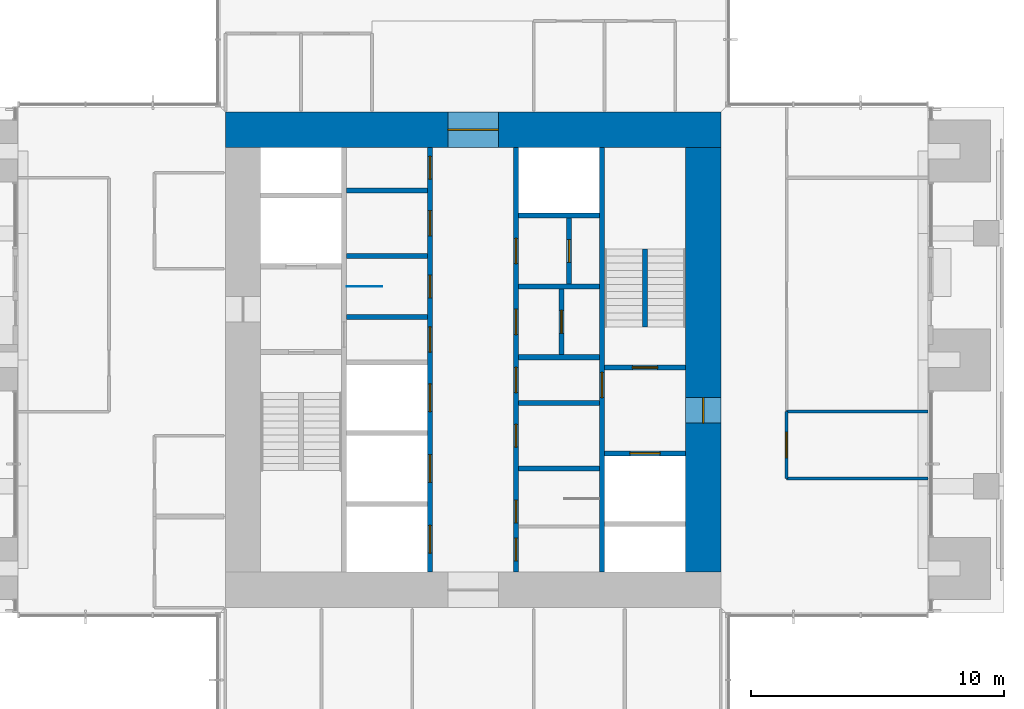
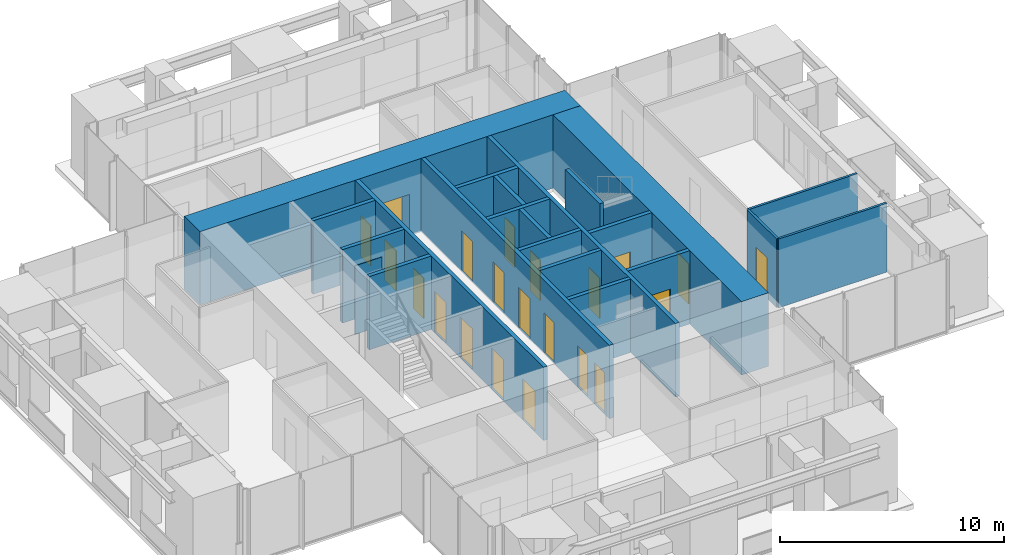
# One storey, part 13 of 17: 22 walls, 21 doors, 21 openings.
"""IFC4 building model written with IfcOpenShell, lengths in metres."""

from ifc_helpers import new_model, si_unit, direction, frame, frame_2d, origin, place, context, subcontext, project, spatial, rectangle, extrude, material, layer, layer_set, type_object, element, fill, save


model = new_model("IFC4")

# Units and contexts
model_context = context("Model", 3, precision=1e-05, world=origin(), true_north=direction((0.0, 1.0)))
body_context = subcontext(model_context, "Body", "Model", "MODEL_VIEW")
ifc_project = project(units=[si_unit("LENGTHUNIT", "METRE"), si_unit("AREAUNIT", "SQUARE_METRE"), si_unit("VOLUMEUNIT", "CUBIC_METRE"), si_unit("PLANEANGLEUNIT", "RADIAN"), si_unit("MASSUNIT", "GRAM", prefix="KILO")], contexts=[model_context])

# Site, building, storey
site_placement = place(None, origin())
site = spatial("IfcSite", under=ifc_project, at=site_placement, CompositionType="ELEMENT")
building_placement = place(site_placement, origin())
building = spatial("IfcBuilding", under=site, at=building_placement, Name="Svetlomir Tower", CompositionType="ELEMENT")
storey_placement = place(building_placement, frame((0.0, 0.0, 198.5)))
storey = spatial("IfcBuildingStorey", under=building, at=storey_placement, Name="L47", CompositionType="ELEMENT", Elevation=198.5)

# Wall, openings, doors
ifc_material_1 = material(Name="Concrete C60/75", Category="concrete")
ifc_layer_1 = layer(ifc_material_1, 0.199951171875)
ifc_layer_set_1 = layer_set([ifc_layer_1], Name="Concrete C60/75")
wall_type_1 = type_object("IfcWallType", Name="CORE INNER WALL 200", PredefinedType="SHEAR", material=ifc_layer_set_1)
wall_1_placement = place(storey_placement, frame((19.300048828125, 12.60009765625, -0.050048828125), z_axis=(0.0, 0.0, 1.0), x_axis=(0.0, 1.0, 0.0)))
wall_1 = element("IfcWall", 1, at=wall_1_placement, inside=storey, type_object=wall_type_1, Name="Core inner wall 19.3 L47", PredefinedType="SHEAR", context=body_context, shape_type="SweptSolid", body=[
    extrude(rectangle(XDim=16.7998046875, YDim=0.199951171875, at=frame_2d((8.39990234375, 0.0))), origin(), (0.0, 0.0, 1.0), 4.0),
])
opening_1_placement = place(wall_1_placement, frame((8.699951171875, 0.0, 0.050048828125)))
opening_1 = element("IfcOpeningElement", 2, at=opening_1_placement, cuts=wall_1, Name="Opening DC", PredefinedType="OPENING", context=body_context, shape_type="SweptSolid", body=[
    extrude(rectangle(XDim=1.0, YDim=2.199951171875, at=frame_2d((0.5, 1.10009765625))), frame((0.0, 0.10986328125, 0.0), z_axis=(0.0, -1.0, 0.0), x_axis=(1.0, 0.0, 0.0)), (0.0, 0.0, 1.0), 0.219970703125),
])
opening_2_placement = place(wall_1_placement, frame((10.85009765625, 0.0, 0.050048828125)))
opening_2 = element("IfcOpeningElement", 3, at=opening_2_placement, cuts=wall_1, Name="Opening DW", PredefinedType="OPENING", context=body_context, shape_type="SweptSolid", body=[
    extrude(rectangle(XDim=0.89990234375, YDim=2.199951171875, at=frame_2d((0.449951171875, 1.10009765625))), frame((0.0, 0.10986328125, 0.0), z_axis=(0.0, -1.0, 0.0), x_axis=(1.0, 0.0, 0.0)), (0.0, 0.0, 1.0), 0.219970703125),
])
opening_3_placement = place(wall_1_placement, frame((13.300048828125, 0.0, 0.050048828125)))
opening_3 = element("IfcOpeningElement", 4, at=opening_3_placement, cuts=wall_1, Name="Opening DC", PredefinedType="OPENING", context=body_context, shape_type="SweptSolid", body=[
    extrude(rectangle(XDim=1.0, YDim=2.199951171875, at=frame_2d((0.5, 1.10009765625))), frame((0.0, 0.10986328125, 0.0), z_axis=(0.0, -1.0, 0.0), x_axis=(1.0, 0.0, 0.0)), (0.0, 0.0, 1.0), 0.219970703125),
])
opening_4_placement = place(wall_1_placement, frame((15.550048828125, 0.0, 0.050048828125)))
opening_4 = element("IfcOpeningElement", 5, at=opening_4_placement, cuts=wall_1, Name="Opening DW", PredefinedType="OPENING", context=body_context, shape_type="SweptSolid", body=[
    extrude(rectangle(XDim=0.89990234375, YDim=2.199951171875, at=frame_2d((0.449951171875, 1.10009765625))), frame((0.0, 0.10986328125, 0.0), z_axis=(0.0, -1.0, 0.0), x_axis=(1.0, 0.0, 0.0)), (0.0, 0.0, 1.0), 0.219970703125),
])
opening_5_placement = place(wall_1_placement, frame((0.75, 0.0, 0.050048828125)))
opening_5 = element("IfcOpeningElement", 6, at=opening_5_placement, cuts=wall_1, Name="Opening LD", PredefinedType="OPENING", context=body_context, shape_type="SweptSolid", body=[
    extrude(rectangle(XDim=1.10009765625, YDim=2.199951171875, at=frame_2d((0.550048828125, 1.10009765625))), frame((0.0, 0.10986328125, 0.0), z_axis=(0.0, -1.0, 0.0), x_axis=(1.0, 0.0, 0.0)), (0.0, 0.0, 1.0), 0.219970703125),
])
opening_6_placement = place(wall_1_placement, frame((3.550048828125, 0.0, 0.050048828125)))
opening_6 = element("IfcOpeningElement", 7, at=opening_6_placement, cuts=wall_1, Name="Opening LD", PredefinedType="OPENING", context=body_context, shape_type="SweptSolid", body=[
    extrude(rectangle(XDim=1.10009765625, YDim=2.199951171875, at=frame_2d((0.550048828125, 1.10009765625))), frame((0.0, 0.10986328125, 0.0), z_axis=(0.0, -1.0, 0.0), x_axis=(1.0, 0.0, 0.0)), (0.0, 0.0, 1.0), 0.219970703125),
])
opening_7_placement = place(wall_1_placement, frame((6.35009765625, 0.0, 0.050048828125)))
opening_7 = element("IfcOpeningElement", 8, at=opening_7_placement, cuts=wall_1, Name="Opening LD", PredefinedType="OPENING", context=body_context, shape_type="SweptSolid", body=[
    extrude(rectangle(XDim=1.10009765625, YDim=2.199951171875, at=frame_2d((0.550048828125, 1.10009765625))), frame((0.0, 0.10986328125, 0.0), z_axis=(0.0, -1.0, 0.0), x_axis=(1.0, 0.0, 0.0)), (0.0, 0.0, 1.0), 0.219970703125),
])
ifc_material_2 = material(Name="Timber fire door", Category="wood")
door_type_1 = type_object("IfcDoorType", Name="DOOR DC 1000x2200", OperationType="SINGLE_SWING_LEFT", PredefinedType="DOOR", material=ifc_material_2)
door_1_placement = place(opening_1_placement, origin())
door_1 = element("IfcDoor", 9, at=door_1_placement, inside=storey, type_object=door_type_1, Name="Core corridor west lobby door L47", OperationType="SINGLE_SWING_RIGHT", OverallHeight=2.199951171875, OverallWidth=1.0, PredefinedType="DOOR", context=body_context, shape_type="SweptSolid", body=[
    extrude(rectangle(XDim=1.0, YDim=2.199951171875, at=frame_2d((0.5, 1.10009765625))), frame((0.0, 0.02490234375, 0.0), z_axis=(0.0, -1.0, 0.0), x_axis=(1.0, 0.0, 0.0)), (0.0, 0.0, 1.0), 0.050048828125),
])
fill(opening_1, door_1)
door_2_placement = place(opening_3_placement, origin())
door_2 = element("IfcDoor", 10, at=door_2_placement, inside=storey, type_object=door_type_1, Name="Accessible WC door L47", OperationType="SINGLE_SWING_LEFT", OverallHeight=2.199951171875, OverallWidth=1.0, PredefinedType="DOOR", context=body_context, shape_type="SweptSolid", body=[
    extrude(rectangle(XDim=1.0, YDim=2.199951171875, at=frame_2d((0.5, 1.10009765625))), frame((0.0, 0.02490234375, 0.0), z_axis=(0.0, -1.0, 0.0), x_axis=(1.0, 0.0, 0.0)), (0.0, 0.0, 1.0), 0.050048828125),
])
fill(opening_3, door_2)
ifc_material_3 = material(Name="Timber fire door", Category="wood")
door_type_2 = type_object("IfcDoorType", Name="DOOR DW 900x2200", OperationType="SINGLE_SWING_LEFT", PredefinedType="DOOR", material=ifc_material_3)
door_3_placement = place(opening_2_placement, origin())
door_3 = element("IfcDoor", 11, at=door_3_placement, inside=storey, type_object=door_type_2, Name="Female WC door L47", OperationType="SINGLE_SWING_RIGHT", OverallHeight=2.199951171875, OverallWidth=0.89990234375, PredefinedType="DOOR", context=body_context, shape_type="SweptSolid", body=[
    extrude(rectangle(XDim=0.89990234375, YDim=2.199951171875, at=frame_2d((0.449951171875, 1.10009765625))), frame((0.0, 0.02490234375, 0.0), z_axis=(0.0, -1.0, 0.0), x_axis=(1.0, 0.0, 0.0)), (0.0, 0.0, 1.0), 0.050048828125),
])
fill(opening_2, door_3)
door_4_placement = place(opening_4_placement, origin())
door_4 = element("IfcDoor", 12, at=door_4_placement, inside=storey, type_object=door_type_2, Name="IT floor distributor room door L47", OperationType="SINGLE_SWING_RIGHT", OverallHeight=2.199951171875, OverallWidth=0.89990234375, PredefinedType="DOOR", context=body_context, shape_type="SweptSolid", body=[
    extrude(rectangle(XDim=0.89990234375, YDim=2.199951171875, at=frame_2d((0.449951171875, 1.10009765625))), frame((0.0, 0.02490234375, 0.0), z_axis=(0.0, -1.0, 0.0), x_axis=(1.0, 0.0, 0.0)), (0.0, 0.0, 1.0), 0.050048828125),
])
fill(opening_4, door_4)
ifc_material_4 = material(Name="Stainless steel landing door", Category="steel")
door_type_3 = type_object("IfcDoorType", Name="LIFT LANDING DOOR LD 1100x2200", OperationType="DOUBLE_DOOR_SLIDING", PredefinedType="DOOR", material=ifc_material_4)
door_5_placement = place(opening_5_placement, origin())
door_5 = element("IfcDoor", 13, at=door_5_placement, inside=storey, type_object=door_type_3, Name="Landing door lift LC1 L47", OperationType="DOUBLE_DOOR_SLIDING", OverallHeight=2.199951171875, OverallWidth=1.10009765625, PredefinedType="DOOR", context=body_context, shape_type="SweptSolid", body=[
    extrude(rectangle(XDim=1.10009765625, YDim=2.199951171875, at=frame_2d((0.550048828125, 1.10009765625))), frame((0.0, 0.02490234375, 0.0), z_axis=(0.0, -1.0, 0.0), x_axis=(1.0, 0.0, 0.0)), (0.0, 0.0, 1.0), 0.050048828125),
])
fill(opening_5, door_5)
door_6_placement = place(opening_6_placement, origin())
door_6 = element("IfcDoor", 14, at=door_6_placement, inside=storey, type_object=door_type_3, Name="Landing door lift LC2 L47", OperationType="DOUBLE_DOOR_SLIDING", OverallHeight=2.199951171875, OverallWidth=1.10009765625, PredefinedType="DOOR", context=body_context, shape_type="SweptSolid", body=[
    extrude(rectangle(XDim=1.10009765625, YDim=2.199951171875, at=frame_2d((0.550048828125, 1.10009765625))), frame((0.0, 0.02490234375, 0.0), z_axis=(0.0, -1.0, 0.0), x_axis=(1.0, 0.0, 0.0)), (0.0, 0.0, 1.0), 0.050048828125),
])
fill(opening_6, door_6)
door_7_placement = place(opening_7_placement, origin())
door_7 = element("IfcDoor", 15, at=door_7_placement, inside=storey, type_object=door_type_3, Name="Landing door lift LC3 L47", OperationType="DOUBLE_DOOR_SLIDING", OverallHeight=2.199951171875, OverallWidth=1.10009765625, PredefinedType="DOOR", context=body_context, shape_type="SweptSolid", body=[
    extrude(rectangle(XDim=1.10009765625, YDim=2.199951171875, at=frame_2d((0.550048828125, 1.10009765625))), frame((0.0, 0.02490234375, 0.0), z_axis=(0.0, -1.0, 0.0), x_axis=(1.0, 0.0, 0.0)), (0.0, 0.0, 1.0), 0.050048828125),
])
fill(opening_7, door_7)

wall_2_placement = place(storey_placement, frame((22.699951171875, 12.60009765625, -0.050048828125), z_axis=(0.0, 0.0, 1.0), x_axis=(0.0, 1.0, 0.0)))
wall_2 = element("IfcWall", 16, at=wall_2_placement, inside=storey, type_object=wall_type_1, Name="Core inner wall 22.7 L47", PredefinedType="SHEAR", context=body_context, shape_type="SweptSolid", body=[
    extrude(rectangle(XDim=16.7998046875, YDim=0.199951171875, at=frame_2d((8.39990234375, 0.0))), origin(), (0.0, 0.0, 1.0), 4.0),
])
opening_8_placement = place(wall_2_placement, frame((0.449951171875, 0.0, 0.050048828125)))
opening_8 = element("IfcOpeningElement", 17, at=opening_8_placement, cuts=wall_2, Name="Opening DW", PredefinedType="OPENING", context=body_context, shape_type="SweptSolid", body=[
    extrude(rectangle(XDim=0.89990234375, YDim=2.199951171875, at=frame_2d((0.449951171875, 1.10009765625))), frame((0.0, 0.10986328125, 0.0), z_axis=(0.0, -1.0, 0.0), x_axis=(1.0, 0.0, 0.0)), (0.0, 0.0, 1.0), 0.219970703125),
])
opening_9_placement = place(wall_2_placement, frame((7.10009765625, 0.0, 0.050048828125)))
opening_9 = element("IfcOpeningElement", 18, at=opening_9_placement, cuts=wall_2, Name="Opening DC", PredefinedType="OPENING", context=body_context, shape_type="SweptSolid", body=[
    extrude(rectangle(XDim=1.0, YDim=2.199951171875, at=frame_2d((0.5, 1.10009765625))), frame((0.0, 0.10986328125, 0.0), z_axis=(0.0, -1.0, 0.0), x_axis=(1.0, 0.0, 0.0)), (0.0, 0.0, 1.0), 0.219970703125),
])
opening_10_placement = place(wall_2_placement, frame((1.949951171875, 0.0, 0.050048828125)))
opening_10 = element("IfcOpeningElement", 19, at=opening_10_placement, cuts=wall_2, Name="Opening DW", PredefinedType="OPENING", context=body_context, shape_type="SweptSolid", body=[
    extrude(rectangle(XDim=0.89990234375, YDim=2.199951171875, at=frame_2d((0.449951171875, 1.10009765625))), frame((0.0, 0.10986328125, 0.0), z_axis=(0.0, -1.0, 0.0), x_axis=(1.0, 0.0, 0.0)), (0.0, 0.0, 1.0), 0.219970703125),
])
opening_11_placement = place(wall_2_placement, frame((4.949951171875, 0.0, 0.050048828125)))
opening_11 = element("IfcOpeningElement", 20, at=opening_11_placement, cuts=wall_2, Name="Opening DW", PredefinedType="OPENING", context=body_context, shape_type="SweptSolid", body=[
    extrude(rectangle(XDim=0.89990234375, YDim=2.199951171875, at=frame_2d((0.449951171875, 1.10009765625))), frame((0.0, 0.10986328125, 0.0), z_axis=(0.0, -1.0, 0.0), x_axis=(1.0, 0.0, 0.0)), (0.0, 0.0, 1.0), 0.219970703125),
])
opening_12_placement = place(wall_2_placement, frame((9.39990234375, 0.0, 0.050048828125)))
opening_12 = element("IfcOpeningElement", 21, at=opening_12_placement, cuts=wall_2, Name="Opening DC", PredefinedType="OPENING", context=body_context, shape_type="SweptSolid", body=[
    extrude(rectangle(XDim=1.0, YDim=2.199951171875, at=frame_2d((0.5, 1.10009765625))), frame((0.0, 0.10986328125, 0.0), z_axis=(0.0, -1.0, 0.0), x_axis=(1.0, 0.0, 0.0)), (0.0, 0.0, 1.0), 0.219970703125),
])
opening_13_placement = place(wall_2_placement, frame((12.199951171875, 0.0, 0.050048828125)))
opening_13 = element("IfcOpeningElement", 22, at=opening_13_placement, cuts=wall_2, Name="Opening DC", PredefinedType="OPENING", context=body_context, shape_type="SweptSolid", body=[
    extrude(rectangle(XDim=1.0, YDim=2.199951171875, at=frame_2d((0.5, 1.10009765625))), frame((0.0, 0.10986328125, 0.0), z_axis=(0.0, -1.0, 0.0), x_axis=(1.0, 0.0, 0.0)), (0.0, 0.0, 1.0), 0.219970703125),
])
door_8_placement = place(opening_9_placement, origin())
door_8 = element("IfcDoor", 23, at=door_8_placement, inside=storey, type_object=door_type_1, Name="Core corridor east lobby door L47", OperationType="SINGLE_SWING_LEFT", OverallHeight=2.199951171875, OverallWidth=1.0, PredefinedType="DOOR", context=body_context, shape_type="SweptSolid", body=[
    extrude(rectangle(XDim=1.0, YDim=2.199951171875, at=frame_2d((0.5, 1.10009765625))), frame((0.0, 0.02490234375, 0.0), z_axis=(0.0, -1.0, 0.0), x_axis=(1.0, 0.0, 0.0)), (0.0, 0.0, 1.0), 0.050048828125),
])
fill(opening_9, door_8)
door_9_placement = place(opening_12_placement, origin())
door_9 = element("IfcDoor", 24, at=door_9_placement, inside=storey, type_object=door_type_1, Name="Converted shaft BANK-E1 room door L47", OperationType="SINGLE_SWING_LEFT", OverallHeight=2.199951171875, OverallWidth=1.0, PredefinedType="DOOR", context=body_context, shape_type="SweptSolid", body=[
    extrude(rectangle(XDim=1.0, YDim=2.199951171875, at=frame_2d((0.5, 1.10009765625))), frame((0.0, 0.02490234375, 0.0), z_axis=(0.0, -1.0, 0.0), x_axis=(1.0, 0.0, 0.0)), (0.0, 0.0, 1.0), 0.050048828125),
])
fill(opening_12, door_9)
door_10_placement = place(opening_13_placement, origin())
door_10 = element("IfcDoor", 25, at=door_10_placement, inside=storey, type_object=door_type_1, Name="Converted shaft BANK-E2 room door L47", OperationType="SINGLE_SWING_LEFT", OverallHeight=2.199951171875, OverallWidth=1.0, PredefinedType="DOOR", context=body_context, shape_type="SweptSolid", body=[
    extrude(rectangle(XDim=1.0, YDim=2.199951171875, at=frame_2d((0.5, 1.10009765625))), frame((0.0, 0.02490234375, 0.0), z_axis=(0.0, -1.0, 0.0), x_axis=(1.0, 0.0, 0.0)), (0.0, 0.0, 1.0), 0.050048828125),
])
fill(opening_13, door_10)
door_11_placement = place(opening_8_placement, origin())
door_11 = element("IfcDoor", 26, at=door_11_placement, inside=storey, type_object=door_type_2, Name="Floor store door L47", OperationType="SINGLE_SWING_LEFT", OverallHeight=2.199951171875, OverallWidth=0.89990234375, PredefinedType="DOOR", context=body_context, shape_type="SweptSolid", body=[
    extrude(rectangle(XDim=0.89990234375, YDim=2.199951171875, at=frame_2d((0.449951171875, 1.10009765625))), frame((0.0, 0.02490234375, 0.0), z_axis=(0.0, -1.0, 0.0), x_axis=(1.0, 0.0, 0.0)), (0.0, 0.0, 1.0), 0.050048828125),
])
fill(opening_8, door_11)
door_12_placement = place(opening_10_placement, origin())
door_12 = element("IfcDoor", 27, at=door_12_placement, inside=storey, type_object=door_type_2, Name="Male WC door L47", OperationType="SINGLE_SWING_LEFT", OverallHeight=2.199951171875, OverallWidth=0.89990234375, PredefinedType="DOOR", context=body_context, shape_type="SweptSolid", body=[
    extrude(rectangle(XDim=0.89990234375, YDim=2.199951171875, at=frame_2d((0.449951171875, 1.10009765625))), frame((0.0, 0.02490234375, 0.0), z_axis=(0.0, -1.0, 0.0), x_axis=(1.0, 0.0, 0.0)), (0.0, 0.0, 1.0), 0.050048828125),
])
fill(opening_10, door_12)
door_13_placement = place(opening_11_placement, origin())
door_13 = element("IfcDoor", 28, at=door_13_placement, inside=storey, type_object=door_type_2, Name="Comms room door L47", OperationType="SINGLE_SWING_RIGHT", OverallHeight=2.199951171875, OverallWidth=0.89990234375, PredefinedType="DOOR", context=body_context, shape_type="SweptSolid", body=[
    extrude(rectangle(XDim=0.89990234375, YDim=2.199951171875, at=frame_2d((0.449951171875, 1.10009765625))), frame((0.0, 0.02490234375, 0.0), z_axis=(0.0, -1.0, 0.0), x_axis=(1.0, 0.0, 0.0)), (0.0, 0.0, 1.0), 0.050048828125),
])
fill(opening_11, door_13)

# Wall, opening, door
wall_3_placement = place(storey_placement, frame((26.10009765625, 12.60009765625, -0.050048828125), z_axis=(0.0, 0.0, 1.0), x_axis=(0.0, 1.0, 0.0)))
wall_3 = element("IfcWall", 29, at=wall_3_placement, inside=storey, type_object=wall_type_1, Name="Core inner wall 26.1 L47", PredefinedType="SHEAR", context=body_context, shape_type="SweptSolid", body=[
    extrude(rectangle(XDim=16.7998046875, YDim=0.199951171875, at=frame_2d((8.39990234375, 0.0))), origin(), (0.0, 0.0, 1.0), 4.0),
])
opening_14_placement = place(wall_3_placement, frame((6.89990234375, 0.0, 0.050048828125)))
opening_14 = element("IfcOpeningElement", 30, at=opening_14_placement, cuts=wall_3, Name="Opening DF", PredefinedType="OPENING", context=body_context, shape_type="SweptSolid", body=[
    extrude(rectangle(XDim=1.0, YDim=2.199951171875, at=frame_2d((0.5, 1.10009765625))), frame((0.0, 0.10986328125, 0.0), z_axis=(0.0, -1.0, 0.0), x_axis=(1.0, 0.0, 0.0)), (0.0, 0.0, 1.0), 0.219970703125),
])
ifc_material_5 = material(Name="Steel fire door", Category="steel")
door_type_4 = type_object("IfcDoorType", Name="DOOR DF 1000x2200", OperationType="SINGLE_SWING_LEFT", PredefinedType="DOOR", material=ifc_material_5)
door_14_placement = place(opening_14_placement, origin())
door_14 = element("IfcDoor", 31, at=door_14_placement, inside=storey, type_object=door_type_4, Name="Core corridor east door L47", OperationType="SINGLE_SWING_LEFT", OverallHeight=2.199951171875, OverallWidth=1.0, PredefinedType="DOOR", context=body_context, shape_type="SweptSolid", body=[
    extrude(rectangle(XDim=1.0, YDim=2.199951171875, at=frame_2d((0.5, 1.10009765625))), frame((0.0, 0.02490234375, 0.0), z_axis=(0.0, -1.0, 0.0), x_axis=(1.0, 0.0, 0.0)), (0.0, 0.0, 1.0), 0.050048828125),
])
fill(opening_14, door_14)

# Walls
for number, where, z_axis, x_axis, name in (
    (32, (16.0, 22.699951171875, -0.050048828125), (0.0, 0.0, 1.0), (1.0, 0.0, 0.0), "Core inner wall 16-19.2/22.7 L47"),
    (33, (16.0, 25.10009765625, -0.050048828125), (0.0, 0.0, 1.0), (1.0, 0.0, 0.0), "Core inner wall 16-19.2/25.1 L47"),
    (34, (16.0, 27.699951171875, -0.050048828125), (0.0, 0.0, 1.0), (1.0, 0.0, 0.0), "Core inner wall 16-19.2/27.7 L47"),
    (35, (22.800048828125, 16.699951171875, -0.050048828125), (0.0, 0.0, 1.0), (1.0, 0.0, 0.0), "Core inner wall 22.8-26/16.7 L47"),
    (36, (22.800048828125, 19.300048828125, -0.050048828125), (0.0, 0.0, 1.0), (1.0, 0.0, 0.0), "Core inner wall 22.8-26/19.3 L47"),
    (37, (22.800048828125, 21.10009765625, -0.050048828125), (0.0, 0.0, 1.0), (1.0, 0.0, 0.0), "Core inner wall 22.8-26/21.1 L47"),
    (38, (22.800048828125, 23.89990234375, -0.050048828125), (0.0, 0.0, 1.0), (1.0, 0.0, 0.0), "Core inner wall 22.8-26/23.9 L47"),
    (39, (22.800048828125, 26.699951171875, -0.050048828125), (0.0, 0.0, 1.0), (1.0, 0.0, 0.0), "Core inner wall 22.8-26/26.7 L47"),
):
    element("IfcWall", number, at=place(storey_placement, frame(where, z_axis=z_axis, x_axis=x_axis)), inside=storey, type_object=wall_type_1, Name=name, PredefinedType="SHEAR", context=body_context, shape_type="SweptSolid", body=[
        extrude(rectangle(XDim=3.199951171875, YDim=0.199951171875, at=frame_2d((1.60009765625, 0.0))), origin(), (0.0, 0.0, 1.0), 4.0),
    ])

# Wall, opening, door
wall_4_placement = place(storey_placement, frame((26.199951171875, 17.300048828125, -0.050048828125), z_axis=(0.0, 0.0, 1.0), x_axis=(1.0, 0.0, 0.0)))
wall_4 = element("IfcWall", 40, at=wall_4_placement, inside=storey, type_object=wall_type_1, Name="Core inner wall 26.2-29.4/17.3 L47", PredefinedType="SHEAR", context=body_context, shape_type="SweptSolid", body=[
    extrude(rectangle(XDim=3.199951171875, YDim=0.199951171875, at=frame_2d((1.60009765625, 0.0))), origin(), (0.0, 0.0, 1.0), 4.0),
])
opening_15_placement = place(wall_4_placement, frame((1.0, 0.0, 0.050048828125)))
opening_15 = element("IfcOpeningElement", 41, at=opening_15_placement, cuts=wall_4, Name="Opening LD3", PredefinedType="OPENING", context=body_context, shape_type="SweptSolid", body=[
    extrude(rectangle(XDim=1.199951171875, YDim=2.199951171875, at=frame_2d((0.60009765625, 1.10009765625))), frame((0.0, 0.10986328125, 0.0), z_axis=(0.0, -1.0, 0.0), x_axis=(1.0, 0.0, 0.0)), (0.0, 0.0, 1.0), 0.219970703125),
])
ifc_material_6 = material(Name="Stainless steel fire-rated landing door", Category="steel")
door_type_5 = type_object("IfcDoorType", Name="FIREFIGHTING LIFT LANDING DOOR LD3 1200x2200", OperationType="DOUBLE_DOOR_SLIDING", PredefinedType="DOOR", material=ifc_material_6)
door_15_placement = place(opening_15_placement, origin())
door_15 = element("IfcDoor", 42, at=door_15_placement, inside=storey, type_object=door_type_5, Name="Landing door lift FL2 L47", OperationType="DOUBLE_DOOR_SLIDING", OverallHeight=2.199951171875, OverallWidth=1.199951171875, PredefinedType="DOOR", context=body_context, shape_type="SweptSolid", body=[
    extrude(rectangle(XDim=1.199951171875, YDim=2.199951171875, at=frame_2d((0.60009765625, 1.10009765625))), frame((0.0, 0.02490234375, 0.0), z_axis=(0.0, -1.0, 0.0), x_axis=(1.0, 0.0, 0.0)), (0.0, 0.0, 1.0), 0.050048828125),
])
fill(opening_15, door_15)

wall_5_placement = place(storey_placement, frame((26.199951171875, 20.699951171875, -0.050048828125), z_axis=(0.0, 0.0, 1.0), x_axis=(1.0, 0.0, 0.0)))
wall_5 = element("IfcWall", 43, at=wall_5_placement, inside=storey, type_object=wall_type_1, Name="Core inner wall 26.2-29.4/20.7 L47", PredefinedType="SHEAR", context=body_context, shape_type="SweptSolid", body=[
    extrude(rectangle(XDim=3.199951171875, YDim=0.199951171875, at=frame_2d((1.60009765625, 0.0))), origin(), (0.0, 0.0, 1.0), 4.0),
])
opening_16_placement = place(wall_5_placement, frame((1.10009765625, 0.0, 0.050048828125)))
opening_16 = element("IfcOpeningElement", 44, at=opening_16_placement, cuts=wall_5, Name="Opening DF", PredefinedType="OPENING", context=body_context, shape_type="SweptSolid", body=[
    extrude(rectangle(XDim=1.0, YDim=2.199951171875, at=frame_2d((0.5, 1.10009765625))), frame((0.0, 0.10986328125, 0.0), z_axis=(0.0, -1.0, 0.0), x_axis=(1.0, 0.0, 0.0)), (0.0, 0.0, 1.0), 0.219970703125),
])
door_16_placement = place(opening_16_placement, origin())
door_16 = element("IfcDoor", 45, at=door_16_placement, inside=storey, type_object=door_type_4, Name="Stair S2 door L47", OperationType="SINGLE_SWING_LEFT", OverallHeight=2.199951171875, OverallWidth=1.0, PredefinedType="DOOR", context=body_context, shape_type="SweptSolid", body=[
    extrude(rectangle(XDim=1.0, YDim=2.199951171875, at=frame_2d((0.5, 1.10009765625))), frame((0.0, 0.02490234375, 0.0), z_axis=(0.0, -1.0, 0.0), x_axis=(1.0, 0.0, 0.0)), (0.0, 0.0, 1.0), 0.050048828125),
])
fill(opening_16, door_16)

wall_6_placement = place(storey_placement, frame((24.5, 21.199951171875, -0.050048828125), z_axis=(0.0, 0.0, 1.0), x_axis=(0.0, 1.0, 0.0)))
wall_6 = element("IfcWall", 46, at=wall_6_placement, inside=storey, type_object=wall_type_1, Name="Core inner wall 24.5/21.2-23.8 L47", PredefinedType="SHEAR", context=body_context, shape_type="SweptSolid", body=[
    extrude(rectangle(XDim=2.60009765625, YDim=0.199951171875, at=frame_2d((1.300048828125, 0.0))), origin(), (0.0, 0.0, 1.0), 4.0),
])
opening_17_placement = place(wall_6_placement, frame((0.85009765625, 0.0, 0.050048828125)))
opening_17 = element("IfcOpeningElement", 47, at=opening_17_placement, cuts=wall_6, Name="Opening DW", PredefinedType="OPENING", context=body_context, shape_type="SweptSolid", body=[
    extrude(rectangle(XDim=0.89990234375, YDim=2.199951171875, at=frame_2d((0.449951171875, 1.10009765625))), frame((0.0, 0.10986328125, 0.0), z_axis=(0.0, -1.0, 0.0), x_axis=(1.0, 0.0, 0.0)), (0.0, 0.0, 1.0), 0.219970703125),
])
door_17_placement = place(opening_17_placement, origin())
door_17 = element("IfcDoor", 48, at=door_17_placement, inside=storey, type_object=door_type_2, Name="Converted shaft BANK-E1 back room door L47", OperationType="SINGLE_SWING_RIGHT", OverallHeight=2.199951171875, OverallWidth=0.89990234375, PredefinedType="DOOR", context=body_context, shape_type="SweptSolid", body=[
    extrude(rectangle(XDim=0.89990234375, YDim=2.199951171875, at=frame_2d((0.449951171875, 1.10009765625))), frame((0.0, 0.02490234375, 0.0), z_axis=(0.0, -1.0, 0.0), x_axis=(1.0, 0.0, 0.0)), (0.0, 0.0, 1.0), 0.050048828125),
])
fill(opening_17, door_17)

wall_7_placement = place(storey_placement, frame((24.800048828125, 24.0, -0.050048828125), z_axis=(0.0, 0.0, 1.0), x_axis=(0.0, 1.0, 0.0)))
wall_7 = element("IfcWall", 49, at=wall_7_placement, inside=storey, type_object=wall_type_1, Name="Core inner wall 24.8/24-26.6 L47", PredefinedType="SHEAR", context=body_context, shape_type="SweptSolid", body=[
    extrude(rectangle(XDim=2.60009765625, YDim=0.199951171875, at=frame_2d((1.300048828125, 0.0))), origin(), (0.0, 0.0, 1.0), 4.0),
])
opening_18_placement = place(wall_7_placement, frame((0.85009765625, 0.0, 0.050048828125)))
opening_18 = element("IfcOpeningElement", 50, at=opening_18_placement, cuts=wall_7, Name="Opening DW", PredefinedType="OPENING", context=body_context, shape_type="SweptSolid", body=[
    extrude(rectangle(XDim=0.89990234375, YDim=2.199951171875, at=frame_2d((0.449951171875, 1.10009765625))), frame((0.0, 0.10986328125, 0.0), z_axis=(0.0, -1.0, 0.0), x_axis=(1.0, 0.0, 0.0)), (0.0, 0.0, 1.0), 0.219970703125),
])
door_18_placement = place(opening_18_placement, origin())
door_18 = element("IfcDoor", 51, at=door_18_placement, inside=storey, type_object=door_type_2, Name="Converted shaft BANK-E2 back room door L47", OperationType="SINGLE_SWING_RIGHT", OverallHeight=2.199951171875, OverallWidth=0.89990234375, PredefinedType="DOOR", context=body_context, shape_type="SweptSolid", body=[
    extrude(rectangle(XDim=0.89990234375, YDim=2.199951171875, at=frame_2d((0.449951171875, 1.10009765625))), frame((0.0, 0.02490234375, 0.0), z_axis=(0.0, -1.0, 0.0), x_axis=(1.0, 0.0, 0.0)), (0.0, 0.0, 1.0), 0.050048828125),
])
fill(opening_18, door_18)

ifc_material_7 = material(Name="Concrete C60/75", Category="concrete")
ifc_layer_2 = layer(ifc_material_7, 1.39990234375)
ifc_layer_set_2 = layer_set([ifc_layer_2], Name="Concrete C60/75")
wall_type_2 = type_object("IfcWallType", Name="CORE WALL 1400", PredefinedType="SHEAR", material=ifc_layer_set_2)
wall_8_placement = place(storey_placement, frame((11.199951171875, 30.10009765625, -0.050048828125), z_axis=(0.0, 0.0, 1.0), x_axis=(1.0, 0.0, 0.0)))
wall_8 = element("IfcWall", 52, at=wall_8_placement, inside=storey, type_object=wall_type_2, Name="Core wall north L47", PredefinedType="SHEAR", context=body_context, shape_type="SweptSolid", body=[
    extrude(rectangle(XDim=19.60009765625, YDim=1.39990234375, at=frame_2d((9.800048828125, 0.0))), origin(), (0.0, 0.0, 1.0), 4.0),
])
opening_19_placement = place(wall_8_placement, frame((8.800048828125, 0.0, 0.050048828125)))
opening_19 = element("IfcOpeningElement", 53, at=opening_19_placement, cuts=wall_8, Name="Opening DL", PredefinedType="OPENING", context=body_context, shape_type="SweptSolid", body=[
    extrude(rectangle(XDim=2.0, YDim=2.199951171875, at=frame_2d((1.0, 1.10009765625))), frame((0.0, 0.7099609375, 0.0), z_axis=(0.0, -1.0, 0.0), x_axis=(1.0, 0.0, 0.0)), (0.0, 0.0, 1.0), 1.419921875),
])
ifc_material_8 = material(Name="Steel fire door", Category="steel")
door_type_6 = type_object("IfcDoorType", Name="DOOR DL 2000x2200", OperationType="DOUBLE_DOOR_SINGLE_SWING", PredefinedType="DOOR", material=ifc_material_8)
door_19_placement = place(opening_19_placement, origin())
door_19 = element("IfcDoor", 54, at=door_19_placement, inside=storey, type_object=door_type_6, Name="Lift lobby north door L47", OperationType="DOUBLE_DOOR_SINGLE_SWING", OverallHeight=2.199951171875, OverallWidth=2.0, PredefinedType="DOOR", context=body_context, shape_type="SweptSolid", body=[
    extrude(rectangle(XDim=2.0, YDim=2.199951171875, at=frame_2d((1.0, 1.10009765625))), frame((0.0, 0.02490234375, 0.0), z_axis=(0.0, -1.0, 0.0), x_axis=(1.0, 0.0, 0.0)), (0.0, 0.0, 1.0), 0.050048828125),
])
fill(opening_19, door_19)

wall_9_placement = place(storey_placement, frame((30.10009765625, 12.60009765625, -0.050048828125), z_axis=(0.0, 0.0, 1.0), x_axis=(0.0, 1.0, 0.0)))
wall_9 = element("IfcWall", 55, at=wall_9_placement, inside=storey, type_object=wall_type_2, Name="Core wall east L47", PredefinedType="SHEAR", context=body_context, shape_type="SweptSolid", body=[
    extrude(rectangle(XDim=16.7998046875, YDim=1.39990234375, at=frame_2d((8.39990234375, 0.0))), origin(), (0.0, 0.0, 1.0), 4.0),
])
opening_20_placement = place(wall_9_placement, frame((5.89990234375, 0.0, 0.050048828125)))
opening_20 = element("IfcOpeningElement", 56, at=opening_20_placement, cuts=wall_9, Name="Opening DF", PredefinedType="OPENING", context=body_context, shape_type="SweptSolid", body=[
    extrude(rectangle(XDim=1.0, YDim=2.199951171875, at=frame_2d((0.5, 1.10009765625))), frame((0.0, 0.7099609375, 0.0), z_axis=(0.0, -1.0, 0.0), x_axis=(1.0, 0.0, 0.0)), (0.0, 0.0, 1.0), 1.419921875),
])
door_20_placement = place(opening_20_placement, origin())
door_20 = element("IfcDoor", 57, at=door_20_placement, inside=storey, type_object=door_type_4, Name="Firefighting lobby east door L47", OperationType="SINGLE_SWING_LEFT", OverallHeight=2.199951171875, OverallWidth=1.0, PredefinedType="DOOR", context=body_context, shape_type="SweptSolid", body=[
    extrude(rectangle(XDim=1.0, YDim=2.199951171875, at=frame_2d((0.5, 1.10009765625))), frame((0.0, 0.02490234375, 0.0), z_axis=(0.0, -1.0, 0.0), x_axis=(1.0, 0.0, 0.0)), (0.0, 0.0, 1.0), 0.050048828125),
])
fill(opening_20, door_20)

ifc_material_9 = material(Name="Gypsum board on steel studs", Category="steel")
ifc_layer_3 = layer(ifc_material_9, 0.1201171875)
ifc_layer_set_3 = layer_set([ifc_layer_3], Name="Gypsum board on steel studs")
wall_type_3 = type_object("IfcWallType", Name="PARTITION 120", PredefinedType="PARTITIONING", material=ifc_layer_set_3)
wall_10_placement = place(storey_placement, frame((33.39990234375, 16.300048828125, 0.0), z_axis=(0.0, 0.0, 1.0), x_axis=(0.0, 1.0, 0.0)))
wall_10 = element("IfcWall", 58, at=wall_10_placement, inside=storey, type_object=wall_type_3, Name="Partition L47", PredefinedType="PARTITIONING", context=body_context, shape_type="SweptSolid", body=[
    extrude(rectangle(XDim=2.64990234375, YDim=0.1201171875, at=frame_2d((1.324951171875, 0.0))), origin(), (0.0, 0.0, 1.0), 3.75),
])
opening_21_placement = place(wall_10_placement, frame((0.824951171875, 0.0, 0.0)))
opening_21 = element("IfcOpeningElement", 59, at=opening_21_placement, cuts=wall_10, Name="Opening DR", PredefinedType="OPENING", context=body_context, shape_type="SweptSolid", body=[
    extrude(rectangle(XDim=1.0, YDim=2.199951171875, at=frame_2d((0.5, 1.10009765625))), frame((0.0, 0.070068359375, 0.0), z_axis=(0.0, -1.0, 0.0), x_axis=(1.0, 0.0, 0.0)), (0.0, 0.0, 1.0), 0.14013671875),
])
ifc_material_10 = material(Name="Timber door, glazed side light", Category="wood")
door_type_7 = type_object("IfcDoorType", Name="DOOR DR 1000x2200", OperationType="SINGLE_SWING_LEFT", PredefinedType="DOOR", material=ifc_material_10)
door_21_placement = place(opening_21_placement, origin())
door_21 = element("IfcDoor", 60, at=door_21_placement, inside=storey, type_object=door_type_7, Name="Tribe lead office door L47", OperationType="SINGLE_SWING_LEFT", OverallHeight=2.199951171875, OverallWidth=1.0, PredefinedType="DOOR", context=body_context, shape_type="SweptSolid", body=[
    extrude(rectangle(XDim=1.0, YDim=2.199951171875, at=frame_2d((0.5, 1.10009765625))), frame((0.0, 0.02490234375, 0.0), z_axis=(0.0, -1.0, 0.0), x_axis=(1.0, 0.0, 0.0)), (0.0, 0.0, 1.0), 0.050048828125),
])
fill(opening_21, door_21)

# Walls
for number, where, z_axis, x_axis, name in (
    (61, (33.39990234375, 16.300048828125, 0.0), (0.0, 0.0, 1.0), (1.0, 0.0, 0.0), "Partition L47"),
    (62, (33.39990234375, 18.949951171875, 0.0), (0.0, 0.0, 1.0), (1.0, 0.0, 0.0), "Partition L47"),
):
    element("IfcWall", number, at=place(storey_placement, frame(where, z_axis=z_axis, x_axis=x_axis)), inside=storey, type_object=wall_type_3, Name=name, PredefinedType="PARTITIONING", context=body_context, shape_type="SweptSolid", body=[
        extrude(rectangle(XDim=5.60009765625, YDim=0.1201171875, at=frame_2d((2.800048828125, 0.0))), origin(), (0.0, 0.0, 1.0), 3.75),
    ])
ifc_material_11 = material(Name="Concrete C60/75", Category="concrete")
ifc_layer_4 = layer(ifc_material_11, 0.199951171875)
ifc_layer_set_4 = layer_set([ifc_layer_4], Name="Concrete C60/75")
wall_type_4 = type_object("IfcWallType", Name="STAIR SPINE WALL 200", PredefinedType="PARTITIONING", material=ifc_layer_set_4)
wall_11_placement = place(storey_placement, frame((27.800048828125, 22.300048828125, 0.0), z_axis=(0.0, 0.0, 1.0), x_axis=(0.0, 1.0, 0.0)))
element("IfcWall", 63, at=wall_11_placement, inside=storey, type_object=wall_type_4, Name="Stair S2 spine wall L47", PredefinedType="PARTITIONING", context=body_context, shape_type="SweptSolid", body=[
    extrude(rectangle(XDim=3.079833984375, YDim=0.199951171875, at=frame_2d((1.5400390625, 0.0))), origin(), (0.0, 0.0, 1.0), 4.0),
])
ifc_material_12 = material(Name="Compact laminate panel", Category="plastic")
ifc_layer_5 = layer(ifc_material_12, 0.030029296875)
ifc_layer_set_5 = layer_set([ifc_layer_5], Name="Compact laminate panel")
wall_type_5 = type_object("IfcWallType", Name="WC CUBICLE PARTITION 30", PredefinedType="PARTITIONING", material=ifc_layer_set_5)
wall_12_placement = place(storey_placement, frame((16.0, 23.89990234375, 0.0), z_axis=(0.0, 0.0, 1.0), x_axis=(1.0, 0.0, 0.0)))
element("IfcWall", 64, at=wall_12_placement, inside=storey, type_object=wall_type_5, Name="WC cubicle partition L47", PredefinedType="PARTITIONING", context=body_context, shape_type="SweptSolid", body=[
    extrude(rectangle(XDim=1.39990234375, YDim=0.030029296875, at=frame_2d((0.699951171875, 0.0))), origin(), (0.0, 0.0, 1.0), 3.75),
])

save(model, "model.ifc")
